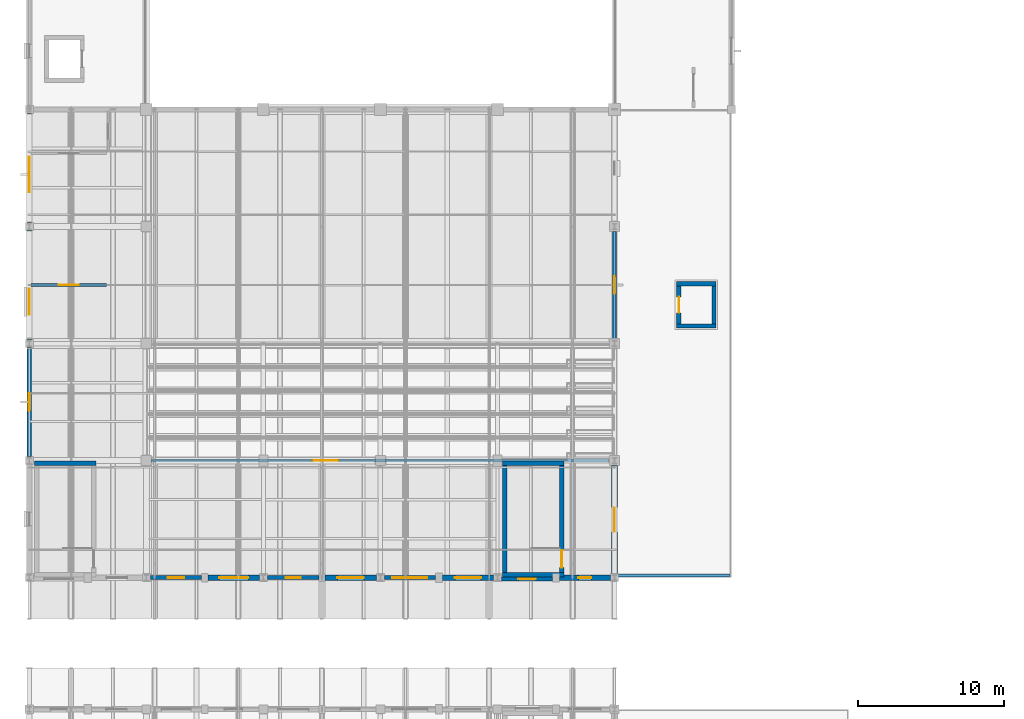
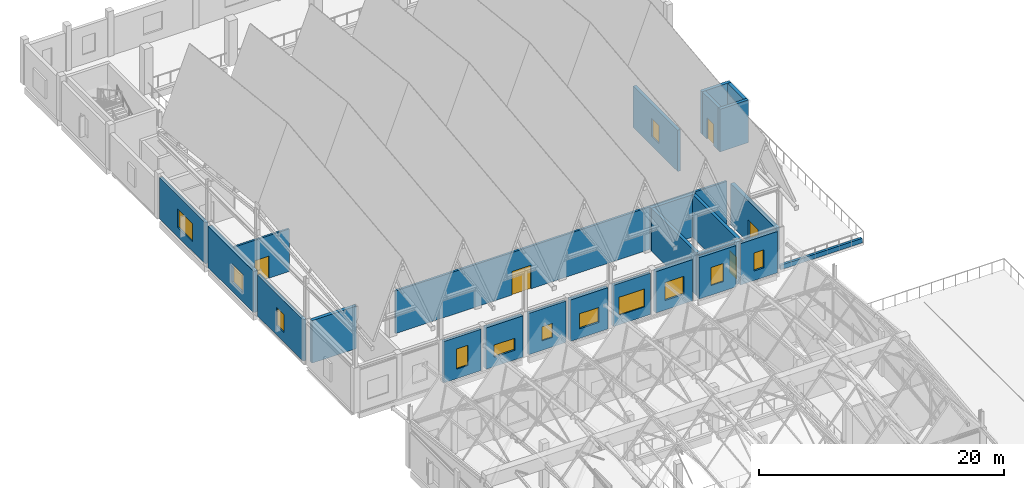
# One storey, part 42 of 77: 25 walls, 12 windows, 5 doors, 17 openings.
"""IFC4 building model written with IfcOpenShell, lengths in metres."""

from ifc_helpers import new_model, si_unit, direction, frame, frame_2d, origin, place, context, subcontext, project, spatial, rectangle, extrude, material, layer, layer_set, type_object, element, fill, save


model = new_model("IFC4")

# Units and contexts
model_context = context("Model", 3, precision=1e-05, world=origin(), true_north=direction((0.0, 1.0)))
body_context = subcontext(model_context, "Body", "Model", "MODEL_VIEW")
ifc_project = project(units=[si_unit("LENGTHUNIT", "METRE"), si_unit("AREAUNIT", "SQUARE_METRE"), si_unit("VOLUMEUNIT", "CUBIC_METRE"), si_unit("PLANEANGLEUNIT", "RADIAN"), si_unit("MASSUNIT", "GRAM", prefix="KILO")], contexts=[model_context])

# Site, building, storey
site_placement = place(None, origin())
site = spatial("IfcSite", under=ifc_project, at=site_placement, CompositionType="ELEMENT")
building_placement = place(site_placement, origin())
building = spatial("IfcBuilding", under=site, at=building_placement, Name="Luwemba Playhouse", CompositionType="ELEMENT")
storey_placement = place(building_placement, frame((0.0, 0.0, 9.300048828125)))
storey = spatial("IfcBuildingStorey", under=building, at=storey_placement, Name="L02", CompositionType="ELEMENT", Elevation=9.300048828125)

# Wall, opening, window
ifc_material_1 = material(Name="Clay facing brick obra vista masonry", Category="masonry")
ifc_layer_1 = layer(ifc_material_1, 0.3798828125)
ifc_layer_set_1 = layer_set([ifc_layer_1], Name="Clay facing brick obra vista masonry")
wall_type_1 = type_object("IfcWallType", Name="WAL-BRK-380", PredefinedType="SOLIDWALL", material=ifc_layer_set_1)
wall_1_placement = place(storey_placement, frame((4.0, 52.27490234375, 0.0), z_axis=(0.0, 0.0, 1.0), x_axis=(0.0, 1.0, 0.0)))
wall_1 = element("IfcWall", 1, at=wall_1_placement, inside=storey, type_object=wall_type_1, Name="L02 V1 exterior facade wall 0272", PredefinedType="SOLIDWALL", context=body_context, shape_type="SweptSolid", body=[
    extrude(rectangle(XDim=7.4501953125, YDim=0.3798828125, at=frame_2d((3.72509765625, 0.0))), origin(), (0.0, 0.0, 1.0), 4.119873046875),
])
opening_1_placement = place(wall_1_placement, frame((1.68505859375, 0.0, 0.949951171875)))
opening_1 = element("IfcOpeningElement", 2, at=opening_1_placement, cuts=wall_1, Name="Opening WN-04", PredefinedType="OPENING", context=body_context, shape_type="SweptSolid", body=[
    extrude(rectangle(XDim=1.800048828125, YDim=1.800048828125, at=frame_2d((0.89990234375, 0.89990234375))), frame((0.0, 0.199951171875, 0.0), z_axis=(0.0, -1.0, 0.0), x_axis=(1.0, 0.0, 0.0)), (0.0, 0.0, 1.0), 0.39990234375),
])
ifc_material_2 = material(Name="Solar-control double glazing in aluminium frame", Category="aluminium")
window_type_1 = type_object("IfcWindowType", Name="WIN-WN-04", PartitioningType="DOUBLE_PANEL_VERTICAL", PredefinedType="WINDOW", material=ifc_material_2)
window_1_placement = place(opening_1_placement, origin())
window_1 = element("IfcWindow", 3, at=window_1_placement, inside=storey, type_object=window_type_1, Name="L02 V1 scheduled window 0219", OverallHeight=1.800048828125, OverallWidth=1.800048828125, PartitioningType="DOUBLE_PANEL_VERTICAL", PredefinedType="WINDOW", context=body_context, shape_type="SweptSolid", body=[
    extrude(rectangle(XDim=1.800048828125, YDim=1.800048828125, at=frame_2d((0.89990234375, 0.89990234375))), frame((0.0, 0.030029296875, 0.0), z_axis=(0.0, -1.0, 0.0), x_axis=(1.0, 0.0, 0.0)), (0.0, 0.0, 1.0), 0.06005859375),
])
fill(opening_1, window_1)

# Wall, opening, door
wall_2_placement = place(storey_placement, frame((44.0, 43.64990234375, 0.0), z_axis=(0.0, 0.0, 1.0), x_axis=(0.0, -1.0, 0.0)))
wall_2 = element("IfcWall", 4, at=wall_2_placement, inside=storey, type_object=wall_type_1, Name="L02 V1 exterior facade wall 0276", PredefinedType="SOLIDWALL", context=body_context, shape_type="SweptSolid", body=[
    extrude(rectangle(XDim=7.375, YDim=0.3798828125, at=frame_2d((3.6875, 0.0))), origin(), (0.0, 0.0, 1.0), 4.119873046875),
])
opening_2_placement = place(wall_2_placement, frame((2.862548828125, 0.0, 0.0)))
opening_2 = element("IfcOpeningElement", 5, at=opening_2_placement, cuts=wall_2, Name="Opening D-TR1", PredefinedType="OPENING", context=body_context, shape_type="SweptSolid", body=[
    extrude(rectangle(XDim=1.64990234375, YDim=2.25, at=frame_2d((0.824951171875, 1.125))), frame((0.0, 0.199951171875, 0.0), z_axis=(0.0, -1.0, 0.0), x_axis=(1.0, 0.0, 0.0)), (0.0, 0.0, 1.0), 0.39990234375),
])
ifc_material_3 = material(Name="Architectural bronze-anodised aluminium and glazed leaf", Category="aluminium")
door_type_1 = type_object("IfcDoorType", Name="DR-TER-165", OperationType="NOTDEFINED", PredefinedType="DOOR", material=ifc_material_3)
door_1_placement = place(opening_2_placement, origin())
door_1 = element("IfcDoor", 6, at=door_1_placement, inside=storey, type_object=door_type_1, Name="L02 TER-V1-L02 terrace entrance door", OperationType="DOUBLE_DOOR_SINGLE_SWING", OverallHeight=2.25, OverallWidth=1.64990234375, PredefinedType="DOOR", context=body_context, shape_type="SweptSolid", body=[
    extrude(rectangle(XDim=1.64990234375, YDim=2.25, at=frame_2d((0.824951171875, 1.125))), frame((0.0, 0.02490234375, 0.0), z_axis=(0.0, -1.0, 0.0), x_axis=(1.0, 0.0, 0.0)), (0.0, 0.0, 1.0), 0.050048828125),
])
fill(opening_2, door_1)

# Wall, opening, window
wall_3_placement = place(storey_placement, frame((43.72509765625, 36.0, 0.0), z_axis=(0.0, 0.0, 1.0), x_axis=(-1.0, 0.0, 0.0)))
wall_3 = element("IfcWall", 7, at=wall_3_placement, inside=storey, type_object=wall_type_1, Name="L02 V1 exterior facade wall 0277", PredefinedType="SOLIDWALL", context=body_context, shape_type="SweptSolid", body=[
    extrude(rectangle(XDim=3.5, YDim=0.3798828125, at=frame_2d((1.75, 0.0))), origin(), (0.0, 0.0, 1.0), 4.119873046875),
])
opening_3_placement = place(wall_3_placement, frame((1.300048828125, 0.0, 0.949951171875)))
opening_3 = element("IfcOpeningElement", 8, at=opening_3_placement, cuts=wall_3, Name="Opening WN-18", PredefinedType="OPENING", context=body_context, shape_type="SweptSolid", body=[
    extrude(rectangle(XDim=0.89990234375, YDim=1.800048828125, at=frame_2d((0.449951171875, 0.89990234375))), frame((0.0, 0.199951171875, 0.0), z_axis=(0.0, -1.0, 0.0), x_axis=(1.0, 0.0, 0.0)), (0.0, 0.0, 1.0), 0.39990234375),
])
window_type_2 = type_object("IfcWindowType", Name="WIN-WN-18", PartitioningType="SINGLE_PANEL", PredefinedType="WINDOW", material=ifc_material_2)
window_2_placement = place(opening_3_placement, origin())
window_2 = element("IfcWindow", 9, at=window_2_placement, inside=storey, type_object=window_type_2, Name="L02 V1 scheduled window 0223", OverallHeight=1.800048828125, OverallWidth=0.89990234375, PartitioningType="SINGLE_PANEL", PredefinedType="WINDOW", context=body_context, shape_type="SweptSolid", body=[
    extrude(rectangle(XDim=0.89990234375, YDim=1.800048828125, at=frame_2d((0.449951171875, 0.89990234375))), frame((0.0, 0.030029296875, 0.0), z_axis=(0.0, -1.0, 0.0), x_axis=(1.0, 0.0, 0.0)), (0.0, 0.0, 1.0), 0.06005859375),
])
fill(opening_3, window_2)

wall_4_placement = place(storey_placement, frame((35.72509765625, 36.0, 0.0), z_axis=(0.0, 0.0, 1.0), x_axis=(-1.0, 0.0, 0.0)))
wall_4 = element("IfcWall", 10, at=wall_4_placement, inside=storey, type_object=wall_type_1, Name="L02 V1 exterior facade wall 0279", PredefinedType="SOLIDWALL", context=body_context, shape_type="SweptSolid", body=[
    extrude(rectangle(XDim=3.47509765625, YDim=0.3798828125, at=frame_2d((1.737548828125, 0.0))), origin(), (0.0, 0.0, 1.0), 4.119873046875),
])
opening_4_placement = place(wall_4_placement, frame((0.83740234375, 0.0, 0.949951171875)))
opening_4 = element("IfcOpeningElement", 11, at=opening_4_placement, cuts=wall_4, Name="Opening WN-04", PredefinedType="OPENING", context=body_context, shape_type="SweptSolid", body=[
    extrude(rectangle(XDim=1.800048828125, YDim=1.800048828125, at=frame_2d((0.89990234375, 0.89990234375))), frame((0.0, 0.199951171875, 0.0), z_axis=(0.0, -1.0, 0.0), x_axis=(1.0, 0.0, 0.0)), (0.0, 0.0, 1.0), 0.39990234375),
])
window_3_placement = place(opening_4_placement, origin())
window_3 = element("IfcWindow", 12, at=window_3_placement, inside=storey, type_object=window_type_1, Name="L02 V1 scheduled window 0225", OverallHeight=1.800048828125, OverallWidth=1.800048828125, PartitioningType="DOUBLE_PANEL_VERTICAL", PredefinedType="WINDOW", context=body_context, shape_type="SweptSolid", body=[
    extrude(rectangle(XDim=1.800048828125, YDim=1.800048828125, at=frame_2d((0.89990234375, 0.89990234375))), frame((0.0, 0.030029296875, 0.0), z_axis=(0.0, -1.0, 0.0), x_axis=(1.0, 0.0, 0.0)), (0.0, 0.0, 1.0), 0.06005859375),
])
fill(opening_4, window_3)

wall_5_placement = place(storey_placement, frame((27.72509765625, 36.0, 0.0), z_axis=(0.0, 0.0, 1.0), x_axis=(-1.0, 0.0, 0.0)))
wall_5 = element("IfcWall", 13, at=wall_5_placement, inside=storey, type_object=wall_type_1, Name="L02 V1 exterior facade wall 0281", PredefinedType="SOLIDWALL", context=body_context, shape_type="SweptSolid", body=[
    extrude(rectangle(XDim=3.525146484375, YDim=0.3798828125, at=frame_2d((1.7626953125, 0.0))), origin(), (0.0, 0.0, 1.0), 4.119873046875),
])
opening_5_placement = place(wall_5_placement, frame((0.862548828125, 0.0, 0.949951171875)))
opening_5 = element("IfcOpeningElement", 14, at=opening_5_placement, cuts=wall_5, Name="Opening WN-10", PredefinedType="OPENING", context=body_context, shape_type="SweptSolid", body=[
    extrude(rectangle(XDim=1.800048828125, YDim=1.5, at=frame_2d((0.89990234375, 0.75))), frame((0.0, 0.199951171875, 0.0), z_axis=(0.0, -1.0, 0.0), x_axis=(1.0, 0.0, 0.0)), (0.0, 0.0, 1.0), 0.39990234375),
])
window_type_3 = type_object("IfcWindowType", Name="WIN-WN-10", PartitioningType="DOUBLE_PANEL_VERTICAL", PredefinedType="WINDOW", material=ifc_material_2)
window_4_placement = place(opening_5_placement, origin())
window_4 = element("IfcWindow", 15, at=window_4_placement, inside=storey, type_object=window_type_3, Name="L02 V1 scheduled window 0227", OverallHeight=1.5, OverallWidth=1.800048828125, PartitioningType="DOUBLE_PANEL_VERTICAL", PredefinedType="WINDOW", context=body_context, shape_type="SweptSolid", body=[
    extrude(rectangle(XDim=1.800048828125, YDim=1.5, at=frame_2d((0.89990234375, 0.75))), frame((0.0, 0.030029296875, 0.0), z_axis=(0.0, -1.0, 0.0), x_axis=(1.0, 0.0, 0.0)), (0.0, 0.0, 1.0), 0.06005859375),
])
fill(opening_5, window_4)

wall_6_placement = place(storey_placement, frame((19.72509765625, 36.0, 0.0), z_axis=(0.0, 0.0, 1.0), x_axis=(-1.0, 0.0, 0.0)))
wall_6 = element("IfcWall", 16, at=wall_6_placement, inside=storey, type_object=wall_type_1, Name="L02 V1 exterior facade wall 0283", PredefinedType="SOLIDWALL", context=body_context, shape_type="SweptSolid", body=[
    extrude(rectangle(XDim=3.5, YDim=0.3798828125, at=frame_2d((1.75, 0.0))), origin(), (0.0, 0.0, 1.0), 4.119873046875),
])
opening_6_placement = place(wall_6_placement, frame((0.75, 0.0, 0.949951171875)))
opening_6 = element("IfcOpeningElement", 17, at=opening_6_placement, cuts=wall_6, Name="Opening WN-16", PredefinedType="OPENING", context=body_context, shape_type="SweptSolid", body=[
    extrude(rectangle(XDim=2.0, YDim=1.199951171875, at=frame_2d((1.0, 0.60009765625))), frame((0.0, 0.199951171875, 0.0), z_axis=(0.0, -1.0, 0.0), x_axis=(1.0, 0.0, 0.0)), (0.0, 0.0, 1.0), 0.39990234375),
])
window_type_4 = type_object("IfcWindowType", Name="WIN-WN-16", PartitioningType="DOUBLE_PANEL_HORIZONTAL", PredefinedType="WINDOW", material=ifc_material_2)
window_5_placement = place(opening_6_placement, origin())
window_5 = element("IfcWindow", 18, at=window_5_placement, inside=storey, type_object=window_type_4, Name="L02 V1 scheduled window 0229", OverallHeight=1.199951171875, OverallWidth=2.0, PartitioningType="DOUBLE_PANEL_HORIZONTAL", PredefinedType="WINDOW", context=body_context, shape_type="SweptSolid", body=[
    extrude(rectangle(XDim=2.0, YDim=1.199951171875, at=frame_2d((1.0, 0.60009765625))), frame((0.0, 0.030029296875, 0.0), z_axis=(0.0, -1.0, 0.0), x_axis=(1.0, 0.0, 0.0)), (0.0, 0.0, 1.0), 0.06005859375),
])
fill(opening_6, window_5)

# Walls
ifc_material_4 = material(Name="Concrete C40/50", Category="concrete")
ifc_layer_2 = layer(ifc_material_4, 0.300048828125)
ifc_layer_set_2 = layer_set([ifc_layer_2], Name="Concrete C40/50")
wall_type_2 = type_object("IfcWallType", Name="WAL-CORE-300", PredefinedType="SHEAR", material=ifc_layer_set_2)
for number, where, z_axis, x_axis, name in (
    (19, (8.550048828125, 43.81005859375, 0.0), (0.0, 0.0, 1.0), (-1.0, 0.0, 0.0), "L02 ST-01 stair core wall N"),
    (20, (36.35009765625, 36.18994140625, 0.0), (0.0, 0.0, 1.0), (1.0, 0.0, 0.0), "L02 ST-02 stair core wall S"),
    (21, (40.550048828125, 43.81005859375, 0.0), (0.0, 0.0, 1.0), (-1.0, 0.0, 0.0), "L02 ST-02 stair core wall N"),
):
    element("IfcWall", number, at=place(storey_placement, frame(where, z_axis=z_axis, x_axis=x_axis)), inside=storey, type_object=wall_type_2, Name=name, PredefinedType="SHEAR", context=body_context, shape_type="SweptSolid", body=[
        extrude(rectangle(XDim=4.199951171875, YDim=0.300048828125, at=frame_2d((2.10009765625, 0.0))), origin(), (0.0, 0.0, 1.0), 4.25),
    ])
wall_7_placement = place(storey_placement, frame((36.5, 36.340087890625, 0.0), z_axis=(0.0, 0.0, 1.0), x_axis=(0.0, 1.0, 0.0)))
element("IfcWall", 22, at=wall_7_placement, inside=storey, type_object=wall_type_2, Name="L02 ST-02 stair core wall W", PredefinedType="SHEAR", context=body_context, shape_type="SweptSolid", body=[
    extrude(rectangle(XDim=7.31982421875, YDim=0.300048828125, at=frame_2d((3.659912109375, 0.0))), origin(), (0.0, 0.0, 1.0), 4.25),
])

# Wall, opening, door
wall_8_placement = place(storey_placement, frame((40.39990234375, 36.340087890625, 0.0), z_axis=(0.0, 0.0, 1.0), x_axis=(0.0, 1.0, 0.0)))
wall_8 = element("IfcWall", 23, at=wall_8_placement, inside=storey, type_object=wall_type_2, Name="L02 ST-02 stair core wall E", PredefinedType="SHEAR", context=body_context, shape_type="SweptSolid", body=[
    extrude(rectangle(XDim=7.31982421875, YDim=0.300048828125, at=frame_2d((3.659912109375, 0.0))), origin(), (0.0, 0.0, 1.0), 4.25),
])
opening_7_placement = place(wall_8_placement, frame((0.35009765625, 0.0, 0.0)))
opening_7 = element("IfcOpeningElement", 24, at=opening_7_placement, cuts=wall_8, Name="Opening D-STAIR3", PredefinedType="OPENING", context=body_context, shape_type="SweptSolid", body=[
    extrude(rectangle(XDim=1.199951171875, YDim=2.14990234375, at=frame_2d((0.60009765625, 1.074951171875))), frame((0.0, 0.159912109375, 0.0), z_axis=(0.0, -1.0, 0.0), x_axis=(1.0, 0.0, 0.0)), (0.0, 0.0, 1.0), 0.320068359375),
])
ifc_material_5 = material(Name="Hardwood acoustic fire door leaf", Category="wood")
door_type_2 = type_object("IfcDoorType", Name="DR-STAIR-120", OperationType="NOTDEFINED", PredefinedType="DOOR", material=ifc_material_5)
door_2_placement = place(opening_7_placement, origin())
door_2 = element("IfcDoor", 25, at=door_2_placement, inside=storey, type_object=door_type_2, Name="L02 ST-02 protected stair entry door", OperationType="SINGLE_SWING_LEFT", OverallHeight=2.14990234375, OverallWidth=1.199951171875, PredefinedType="DOOR", context=body_context, shape_type="SweptSolid", body=[
    extrude(rectangle(XDim=1.199951171875, YDim=2.14990234375, at=frame_2d((0.60009765625, 1.074951171875))), frame((0.0, 0.02490234375, 0.0), z_axis=(0.0, -1.0, 0.0), x_axis=(1.0, 0.0, 0.0)), (0.0, 0.0, 1.0), 0.050048828125),
])
fill(opening_7, door_2)

# Walls
for number, where, z_axis, x_axis, name in (
    (26, (48.25, 53.199951171875, 0.0), (0.0, 0.0, 1.0), (1.0, 0.0, 0.0), "L02 Lift LF-P1 shaft wall S"),
    (27, (50.949951171875, 56.10009765625, 0.0), (0.0, 0.0, 1.0), (-1.0, 0.0, 0.0), "L02 Lift LF-P1 shaft wall N"),
):
    element("IfcWall", number, at=place(storey_placement, frame(where, z_axis=z_axis, x_axis=x_axis)), inside=storey, type_object=wall_type_2, Name=name, PredefinedType="SHEAR", context=body_context, shape_type="SweptSolid", body=[
        extrude(rectangle(XDim=2.699951171875, YDim=0.300048828125, at=frame_2d((1.35009765625, 0.0))), origin(), (0.0, 0.0, 1.0), 4.25),
    ])

# Wall, opening, door
wall_9_placement = place(storey_placement, frame((48.39990234375, 53.35009765625, 0.0), z_axis=(0.0, 0.0, 1.0), x_axis=(0.0, 1.0, 0.0)))
wall_9 = element("IfcWall", 28, at=wall_9_placement, inside=storey, type_object=wall_type_2, Name="L02 Lift LF-P1 shaft wall W", PredefinedType="SHEAR", context=body_context, shape_type="SweptSolid", body=[
    extrude(rectangle(XDim=2.599853515625, YDim=0.300048828125, at=frame_2d((1.2998046875, 0.0))), origin(), (0.0, 0.0, 1.0), 4.25),
])
opening_8_placement = place(wall_9_placement, frame((0.75, 0.0, 0.0)))
opening_8 = element("IfcOpeningElement", 29, at=opening_8_placement, cuts=wall_9, Name="Opening LD-01", PredefinedType="OPENING", context=body_context, shape_type="SweptSolid", body=[
    extrude(rectangle(XDim=1.10009765625, YDim=2.14990234375, at=frame_2d((0.550048828125, 1.074951171875))), frame((0.0, 0.159912109375, 0.0), z_axis=(0.0, -1.0, 0.0), x_axis=(1.0, 0.0, 0.0)), (0.0, 0.0, 1.0), 0.320068359375),
])
ifc_material_6 = material(Name="Stainless steel lift landing doors", Category="steel")
door_type_3 = type_object("IfcDoorType", Name="DR-LIFT-110", OperationType="NOTDEFINED", PredefinedType="DOOR", material=ifc_material_6)
door_3_placement = place(opening_8_placement, origin())
door_3 = element("IfcDoor", 30, at=door_3_placement, inside=storey, type_object=door_type_3, Name="L02 Lift LF-P1 landing door", OperationType="DOUBLE_DOOR_SLIDING", OverallHeight=2.14990234375, OverallWidth=1.10009765625, PredefinedType="DOOR", context=body_context, shape_type="SweptSolid", body=[
    extrude(rectangle(XDim=1.10009765625, YDim=2.14990234375, at=frame_2d((0.550048828125, 1.074951171875))), frame((0.0, 0.02490234375, 0.0), z_axis=(0.0, -1.0, 0.0), x_axis=(1.0, 0.0, 0.0)), (0.0, 0.0, 1.0), 0.050048828125),
])
fill(opening_8, door_3)

# Wall
wall_10_placement = place(storey_placement, frame((50.800048828125, 55.949951171875, 0.0), z_axis=(0.0, 0.0, 1.0), x_axis=(0.0, -1.0, 0.0)))
element("IfcWall", 31, at=wall_10_placement, inside=storey, type_object=wall_type_2, Name="L02 Lift LF-P1 shaft wall E", PredefinedType="SHEAR", context=body_context, shape_type="SweptSolid", body=[
    extrude(rectangle(XDim=2.599853515625, YDim=0.300048828125, at=frame_2d((1.2998046875, 0.0))), origin(), (0.0, 0.0, 1.0), 4.25),
])

# Wall, opening, door
ifc_material_7 = material(Name="Double-stud acoustic gypsum partition", Category="gypsum")
ifc_layer_3 = layer(ifc_material_7, 0.179931640625)
ifc_layer_set_3 = layer_set([ifc_layer_3], Name="Double-stud acoustic gypsum partition")
wall_type_3 = type_object("IfcWallType", Name="WAL-INT-180", PredefinedType="PARTITIONING", material=ifc_layer_set_3)
wall_11_placement = place(storey_placement, frame((4.1201171875, 56.0, 0.0), z_axis=(0.0, 0.0, 1.0), x_axis=(1.0, 0.0, 0.0)))
wall_11 = element("IfcWall", 32, at=wall_11_placement, inside=storey, type_object=wall_type_3, Name="L02 V1 interior partition 0165", PredefinedType="PARTITIONING", context=body_context, shape_type="SweptSolid", body=[
    extrude(rectangle(XDim=5.159912109375, YDim=0.179931640625, at=frame_2d((2.580078125, 0.0))), origin(), (0.0, 0.0, 1.0), 4.25),
])
opening_9_placement = place(wall_11_placement, frame((1.905029296875, 0.0, 0.0)))
opening_9 = element("IfcOpeningElement", 33, at=opening_9_placement, cuts=wall_11, Name="Opening D-STU1", PredefinedType="OPENING", context=body_context, shape_type="SweptSolid", body=[
    extrude(rectangle(XDim=1.35009765625, YDim=2.199951171875, at=frame_2d((0.675048828125, 1.10009765625))), frame((0.0, 0.099853515625, 0.0), z_axis=(0.0, -1.0, 0.0), x_axis=(1.0, 0.0, 0.0)), (0.0, 0.0, 1.0), 0.199951171875),
])
ifc_material_8 = material(Name="Acoustic studio door", Category="wood")
door_type_4 = type_object("IfcDoorType", Name="DR-STU-135", OperationType="NOTDEFINED", PredefinedType="DOOR", material=ifc_material_8)
door_4_placement = place(opening_9_placement, origin())
door_4 = element("IfcDoor", 34, at=door_4_placement, inside=storey, type_object=door_type_4, Name="L02 Upper Circle West Vomitory Corridor to Followspot and Projection Suite door", OperationType="SINGLE_SWING_RIGHT", OverallHeight=2.199951171875, OverallWidth=1.35009765625, PredefinedType="DOOR", context=body_context, shape_type="SweptSolid", body=[
    extrude(rectangle(XDim=1.35009765625, YDim=2.199951171875, at=frame_2d((0.675048828125, 1.10009765625))), frame((0.0, 0.02490234375, 0.0), z_axis=(0.0, -1.0, 0.0), x_axis=(1.0, 0.0, 0.0)), (0.0, 0.0, 1.0), 0.050048828125),
])
fill(opening_9, door_4)

ifc_material_9 = material(Name="Clay acoustic masonry blockwork", Category="masonry")
ifc_layer_4 = layer(ifc_material_9, 0.199951171875)
ifc_layer_set_4 = layer_set([ifc_layer_4], Name="Clay acoustic masonry blockwork")
wall_type_4 = type_object("IfcWallType", Name="WAL-INT-200", PredefinedType="PARTITIONING", material=ifc_layer_set_4)
wall_12_placement = place(storey_placement, frame((12.3701171875, 44.0, 0.0), z_axis=(0.0, 0.0, 1.0), x_axis=(1.0, 0.0, 0.0)))
wall_12 = element("IfcWall", 35, at=wall_12_placement, inside=storey, type_object=wall_type_4, Name="L02 V1 interior partition 0164", PredefinedType="PARTITIONING", context=body_context, shape_type="SweptSolid", body=[
    extrude(rectangle(XDim=31.259765625, YDim=0.199951171875, at=frame_2d((15.6298828125, 0.0))), origin(), (0.0, 0.0, 1.0), 4.25),
])
opening_10_placement = place(wall_12_placement, frame((10.978759765625, 0.0, 0.0)))
opening_10 = element("IfcOpeningElement", 36, at=opening_10_placement, cuts=wall_12, Name="Opening D-AUD1", PredefinedType="OPENING", context=body_context, shape_type="SweptSolid", body=[
    extrude(rectangle(XDim=1.800048828125, YDim=2.35009765625, at=frame_2d((0.89990234375, 1.175048828125))), frame((0.0, 0.10986328125, 0.0), z_axis=(0.0, -1.0, 0.0), x_axis=(1.0, 0.0, 0.0)), (0.0, 0.0, 1.0), 0.219970703125),
])
ifc_material_10 = material(Name="Double acoustic timber theatre door", Category="wood")
door_type_5 = type_object("IfcDoorType", Name="DR-AUD-180", OperationType="NOTDEFINED", PredefinedType="DOOR", material=ifc_material_10)
door_5_placement = place(opening_10_placement, origin())
door_5 = element("IfcDoor", 37, at=door_5_placement, inside=storey, type_object=door_type_5, Name="L02 Upper Circle Seating Tier to Upper Circle Gallery Lounge door", OperationType="DOUBLE_DOOR_SINGLE_SWING", OverallHeight=2.35009765625, OverallWidth=1.800048828125, PredefinedType="DOOR", context=body_context, shape_type="SweptSolid", body=[
    extrude(rectangle(XDim=1.800048828125, YDim=2.35009765625, at=frame_2d((0.89990234375, 1.175048828125))), frame((0.0, 0.02490234375, 0.0), z_axis=(0.0, -1.0, 0.0), x_axis=(1.0, 0.0, 0.0)), (0.0, 0.0, 1.0), 0.050048828125),
])
fill(opening_10, door_5)

# Wall
ifc_material_11 = material(Name="Trencadis ceramic mosaic masonry", Category="masonry")
ifc_layer_5 = layer(ifc_material_11, 0.22509765625)
ifc_layer_set_5 = layer_set([ifc_layer_5], Name="Trencadis ceramic mosaic masonry")
wall_type_5 = type_object("IfcWallType", Name="WAL-PAR-225", PredefinedType="PARAPET", material=ifc_layer_set_5)
wall_13_placement = place(storey_placement, frame((44.14990234375, 36.14990234375, 0.0), z_axis=(0.0, 0.0, 1.0), x_axis=(1.0, 0.0, 0.0)))
element("IfcWall", 38, at=wall_13_placement, inside=storey, type_object=wall_type_5, Name="Lyric cloister terrace south trencadis coping", PredefinedType="PARAPET", context=body_context, shape_type="SweptSolid", body=[
    extrude(rectangle(XDim=7.7001953125, YDim=0.22509765625, at=frame_2d((3.85009765625, 0.0))), origin(), (0.0, 0.0, 1.0), 0.449951171875),
])

# Wall, opening, window
ifc_material_12 = material(Name="Structural timber GL24h infill", Category="wood")
ifc_layer_6 = layer(ifc_material_12, 0.280029296875)
ifc_layer_set_6 = layer_set([ifc_layer_6], Name="Structural timber GL24h infill")
wall_type_6 = type_object("IfcWallType", Name="WAL-TIM-280", PredefinedType="SOLIDWALL", material=ifc_layer_set_6)
wall_14_placement = place(storey_placement, frame((4.0, 44.27490234375, 0.0), z_axis=(0.0, 0.0, 1.0), x_axis=(0.0, 1.0, 0.0)))
wall_14 = element("IfcWall", 39, at=wall_14_placement, inside=storey, type_object=wall_type_6, Name="L02 V1 exterior facade wall 0271", PredefinedType="SOLIDWALL", context=body_context, shape_type="SweptSolid", body=[
    extrude(rectangle(XDim=7.4501953125, YDim=0.280029296875, at=frame_2d((3.72509765625, 0.0))), origin(), (0.0, 0.0, 1.0), 4.119873046875),
])
opening_11_placement = place(wall_14_placement, frame((3.125, 0.0, 0.949951171875)))
opening_11 = element("IfcOpeningElement", 40, at=opening_11_placement, cuts=wall_14, Name="Opening WN-01", PredefinedType="OPENING", context=body_context, shape_type="SweptSolid", body=[
    extrude(rectangle(XDim=1.199951171875, YDim=1.800048828125, at=frame_2d((0.60009765625, 0.89990234375))), frame((0.0, 0.14990234375, 0.0), z_axis=(0.0, -1.0, 0.0), x_axis=(1.0, 0.0, 0.0)), (0.0, 0.0, 1.0), 0.300048828125),
])
window_type_5 = type_object("IfcWindowType", Name="WIN-WN-01", PartitioningType="SINGLE_PANEL", PredefinedType="WINDOW", material=ifc_material_2)
window_6_placement = place(opening_11_placement, origin())
window_6 = element("IfcWindow", 41, at=window_6_placement, inside=storey, type_object=window_type_5, Name="L02 V1 scheduled window 0218", OverallHeight=1.800048828125, OverallWidth=1.199951171875, PartitioningType="SINGLE_PANEL", PredefinedType="WINDOW", context=body_context, shape_type="SweptSolid", body=[
    extrude(rectangle(XDim=1.199951171875, YDim=1.800048828125, at=frame_2d((0.60009765625, 0.89990234375))), frame((0.0, 0.030029296875, 0.0), z_axis=(0.0, -1.0, 0.0), x_axis=(1.0, 0.0, 0.0)), (0.0, 0.0, 1.0), 0.06005859375),
])
fill(opening_11, window_6)

wall_15_placement = place(storey_placement, frame((4.0, 60.27490234375, 0.0), z_axis=(0.0, 0.0, 1.0), x_axis=(0.0, 1.0, 0.0)))
wall_15 = element("IfcWall", 42, at=wall_15_placement, inside=storey, type_object=wall_type_6, Name="L02 V1 exterior facade wall 0273", PredefinedType="SOLIDWALL", context=body_context, shape_type="SweptSolid", body=[
    extrude(rectangle(XDim=7.4501953125, YDim=0.280029296875, at=frame_2d((3.72509765625, 0.0))), origin(), (0.0, 0.0, 1.0), 4.119873046875),
])
opening_12_placement = place(wall_15_placement, frame((2.0849609375, 0.0, 0.949951171875)))
opening_12 = element("IfcOpeningElement", 43, at=opening_12_placement, cuts=wall_15, Name="Opening WN-07", PredefinedType="OPENING", context=body_context, shape_type="SweptSolid", body=[
    extrude(rectangle(XDim=2.39990234375, YDim=1.800048828125, at=frame_2d((1.199951171875, 0.89990234375))), frame((0.0, 0.14990234375, 0.0), z_axis=(0.0, -1.0, 0.0), x_axis=(1.0, 0.0, 0.0)), (0.0, 0.0, 1.0), 0.300048828125),
])
window_type_6 = type_object("IfcWindowType", Name="WIN-WN-07", PartitioningType="TRIPLE_PANEL_VERTICAL", PredefinedType="WINDOW", material=ifc_material_2)
window_7_placement = place(opening_12_placement, origin())
window_7 = element("IfcWindow", 44, at=window_7_placement, inside=storey, type_object=window_type_6, Name="L02 V1 scheduled window 0220", OverallHeight=1.800048828125, OverallWidth=2.39990234375, PartitioningType="TRIPLE_PANEL_VERTICAL", PredefinedType="WINDOW", context=body_context, shape_type="SweptSolid", body=[
    extrude(rectangle(XDim=2.39990234375, YDim=1.800048828125, at=frame_2d((1.199951171875, 0.89990234375))), frame((0.0, 0.030029296875, 0.0), z_axis=(0.0, -1.0, 0.0), x_axis=(1.0, 0.0, 0.0)), (0.0, 0.0, 1.0), 0.06005859375),
])
fill(opening_12, window_7)

wall_16_placement = place(storey_placement, frame((44.0, 59.64990234375, 0.0), z_axis=(0.0, 0.0, 1.0), x_axis=(0.0, -1.0, 0.0)))
wall_16 = element("IfcWall", 45, at=wall_16_placement, inside=storey, type_object=wall_type_6, Name="L02 V1 exterior facade wall 0275", PredefinedType="SOLIDWALL", context=body_context, shape_type="SweptSolid", body=[
    extrude(rectangle(XDim=7.2998046875, YDim=0.280029296875, at=frame_2d((3.64990234375, 0.0))), origin(), (0.0, 0.0, 1.0), 4.119873046875),
])
opening_13_placement = place(wall_16_placement, frame((3.050048828125, 0.0, 0.949951171875)))
opening_13 = element("IfcOpeningElement", 46, at=opening_13_placement, cuts=wall_16, Name="Opening WN-01", PredefinedType="OPENING", context=body_context, shape_type="SweptSolid", body=[
    extrude(rectangle(XDim=1.199951171875, YDim=1.800048828125, at=frame_2d((0.60009765625, 0.89990234375))), frame((0.0, 0.14990234375, 0.0), z_axis=(0.0, -1.0, 0.0), x_axis=(1.0, 0.0, 0.0)), (0.0, 0.0, 1.0), 0.300048828125),
])
window_8_placement = place(opening_13_placement, origin())
window_8 = element("IfcWindow", 47, at=window_8_placement, inside=storey, type_object=window_type_5, Name="L02 V1 scheduled window 0222", OverallHeight=1.800048828125, OverallWidth=1.199951171875, PartitioningType="SINGLE_PANEL", PredefinedType="WINDOW", context=body_context, shape_type="SweptSolid", body=[
    extrude(rectangle(XDim=1.199951171875, YDim=1.800048828125, at=frame_2d((0.60009765625, 0.89990234375))), frame((0.0, 0.030029296875, 0.0), z_axis=(0.0, -1.0, 0.0), x_axis=(1.0, 0.0, 0.0)), (0.0, 0.0, 1.0), 0.06005859375),
])
fill(opening_13, window_8)

wall_17_placement = place(storey_placement, frame((39.77490234375, 35.909912109375, 0.0), z_axis=(0.0, 0.0, 1.0), x_axis=(-1.0, 0.0, 0.0)))
wall_17 = element("IfcWall", 48, at=wall_17_placement, inside=storey, type_object=wall_type_6, Name="L02 V1 exterior facade wall 0278", PredefinedType="SOLIDWALL", context=body_context, shape_type="SweptSolid", body=[
    extrude(rectangle(XDim=3.5, YDim=0.280029296875, at=frame_2d((1.75, 0.0))), origin(), (0.0, 0.0, 1.0), 4.119873046875),
])
opening_14_placement = place(wall_17_placement, frame((1.14990234375, 0.0, 0.949951171875)))
opening_14 = element("IfcOpeningElement", 49, at=opening_14_placement, cuts=wall_17, Name="Opening WN-01", PredefinedType="OPENING", context=body_context, shape_type="SweptSolid", body=[
    extrude(rectangle(XDim=1.199951171875, YDim=1.800048828125, at=frame_2d((0.60009765625, 0.89990234375))), frame((0.0, 0.14990234375, 0.0), z_axis=(0.0, -1.0, 0.0), x_axis=(1.0, 0.0, 0.0)), (0.0, 0.0, 1.0), 0.300048828125),
])
window_9_placement = place(opening_14_placement, origin())
window_9 = element("IfcWindow", 50, at=window_9_placement, inside=storey, type_object=window_type_5, Name="L02 V1 scheduled window 0224", OverallHeight=1.800048828125, OverallWidth=1.199951171875, PartitioningType="SINGLE_PANEL", PredefinedType="WINDOW", context=body_context, shape_type="SweptSolid", body=[
    extrude(rectangle(XDim=1.199951171875, YDim=1.800048828125, at=frame_2d((0.60009765625, 0.89990234375))), frame((0.0, 0.030029296875, 0.0), z_axis=(0.0, -1.0, 0.0), x_axis=(1.0, 0.0, 0.0)), (0.0, 0.0, 1.0), 0.06005859375),
])
fill(opening_14, window_9)

wall_18_placement = place(storey_placement, frame((31.75, 36.0, 0.0), z_axis=(0.0, 0.0, 1.0), x_axis=(-1.0, 0.0, 0.0)))
wall_18 = element("IfcWall", 51, at=wall_18_placement, inside=storey, type_object=wall_type_6, Name="L02 V1 exterior facade wall 0280", PredefinedType="SOLIDWALL", context=body_context, shape_type="SweptSolid", body=[
    extrude(rectangle(XDim=3.47509765625, YDim=0.280029296875, at=frame_2d((1.737548828125, 0.0))), origin(), (0.0, 0.0, 1.0), 4.119873046875),
])
opening_15_placement = place(wall_18_placement, frame((0.53759765625, 0.0, 0.949951171875)))
opening_15 = element("IfcOpeningElement", 52, at=opening_15_placement, cuts=wall_18, Name="Opening WN-07", PredefinedType="OPENING", context=body_context, shape_type="SweptSolid", body=[
    extrude(rectangle(XDim=2.39990234375, YDim=1.800048828125, at=frame_2d((1.199951171875, 0.89990234375))), frame((0.0, 0.14990234375, 0.0), z_axis=(0.0, -1.0, 0.0), x_axis=(1.0, 0.0, 0.0)), (0.0, 0.0, 1.0), 0.300048828125),
])
window_10_placement = place(opening_15_placement, origin())
window_10 = element("IfcWindow", 53, at=window_10_placement, inside=storey, type_object=window_type_6, Name="L02 V1 scheduled window 0226", OverallHeight=1.800048828125, OverallWidth=2.39990234375, PartitioningType="TRIPLE_PANEL_VERTICAL", PredefinedType="WINDOW", context=body_context, shape_type="SweptSolid", body=[
    extrude(rectangle(XDim=2.39990234375, YDim=1.800048828125, at=frame_2d((1.199951171875, 0.89990234375))), frame((0.0, 0.030029296875, 0.0), z_axis=(0.0, -1.0, 0.0), x_axis=(1.0, 0.0, 0.0)), (0.0, 0.0, 1.0), 0.06005859375),
])
fill(opening_15, window_10)

wall_19_placement = place(storey_placement, frame((23.800048828125, 36.0, 0.0), z_axis=(0.0, 0.0, 1.0), x_axis=(-1.0, 0.0, 0.0)))
wall_19 = element("IfcWall", 54, at=wall_19_placement, inside=storey, type_object=wall_type_6, Name="L02 V1 exterior facade wall 0282", PredefinedType="SOLIDWALL", context=body_context, shape_type="SweptSolid", body=[
    extrude(rectangle(XDim=3.525146484375, YDim=0.280029296875, at=frame_2d((1.7626953125, 0.0))), origin(), (0.0, 0.0, 1.0), 4.119873046875),
])
opening_16_placement = place(wall_19_placement, frame((1.262451171875, 0.0, 0.949951171875)))
opening_16 = element("IfcOpeningElement", 55, at=opening_16_placement, cuts=wall_19, Name="Opening WN-13", PredefinedType="OPENING", context=body_context, shape_type="SweptSolid", body=[
    extrude(rectangle(XDim=1.0, YDim=1.39990234375, at=frame_2d((0.5, 0.699951171875))), frame((0.0, 0.14990234375, 0.0), z_axis=(0.0, -1.0, 0.0), x_axis=(1.0, 0.0, 0.0)), (0.0, 0.0, 1.0), 0.300048828125),
])
window_type_7 = type_object("IfcWindowType", Name="WIN-WN-13", PartitioningType="SINGLE_PANEL", PredefinedType="WINDOW", material=ifc_material_2)
window_11_placement = place(opening_16_placement, origin())
window_11 = element("IfcWindow", 56, at=window_11_placement, inside=storey, type_object=window_type_7, Name="L02 V1 scheduled window 0228", OverallHeight=1.39990234375, OverallWidth=1.0, PartitioningType="SINGLE_PANEL", PredefinedType="WINDOW", context=body_context, shape_type="SweptSolid", body=[
    extrude(rectangle(XDim=1.0, YDim=1.39990234375, at=frame_2d((0.5, 0.699951171875))), frame((0.0, 0.030029296875, 0.0), z_axis=(0.0, -1.0, 0.0), x_axis=(1.0, 0.0, 0.0)), (0.0, 0.0, 1.0), 0.06005859375),
])
fill(opening_16, window_11)

wall_20_placement = place(storey_placement, frame((15.77490234375, 36.0, 0.0), z_axis=(0.0, 0.0, 1.0), x_axis=(-1.0, 0.0, 0.0)))
wall_20 = element("IfcWall", 57, at=wall_20_placement, inside=storey, type_object=wall_type_6, Name="L02 V1 exterior facade wall 0284", PredefinedType="SOLIDWALL", context=body_context, shape_type="SweptSolid", body=[
    extrude(rectangle(XDim=3.5, YDim=0.280029296875, at=frame_2d((1.75, 0.0))), origin(), (0.0, 0.0, 1.0), 4.119873046875),
])
opening_17_placement = place(wall_20_placement, frame((1.199951171875, 0.0, 0.949951171875)))
opening_17 = element("IfcOpeningElement", 58, at=opening_17_placement, cuts=wall_20, Name="Opening WN-19", PredefinedType="OPENING", context=body_context, shape_type="SweptSolid", body=[
    extrude(rectangle(XDim=1.10009765625, YDim=2.0, at=frame_2d((0.550048828125, 1.0))), frame((0.0, 0.14990234375, 0.0), z_axis=(0.0, -1.0, 0.0), x_axis=(1.0, 0.0, 0.0)), (0.0, 0.0, 1.0), 0.300048828125),
])
window_type_8 = type_object("IfcWindowType", Name="WIN-WN-19", PartitioningType="SINGLE_PANEL", PredefinedType="WINDOW", material=ifc_material_2)
window_12_placement = place(opening_17_placement, origin())
window_12 = element("IfcWindow", 59, at=window_12_placement, inside=storey, type_object=window_type_8, Name="L02 V1 scheduled window 0230", OverallHeight=2.0, OverallWidth=1.10009765625, PartitioningType="SINGLE_PANEL", PredefinedType="WINDOW", context=body_context, shape_type="SweptSolid", body=[
    extrude(rectangle(XDim=1.10009765625, YDim=2.0, at=frame_2d((0.550048828125, 1.0))), frame((0.0, 0.030029296875, 0.0), z_axis=(0.0, -1.0, 0.0), x_axis=(1.0, 0.0, 0.0)), (0.0, 0.0, 1.0), 0.06005859375),
])
fill(opening_17, window_12)

save(model, "model.ifc")
